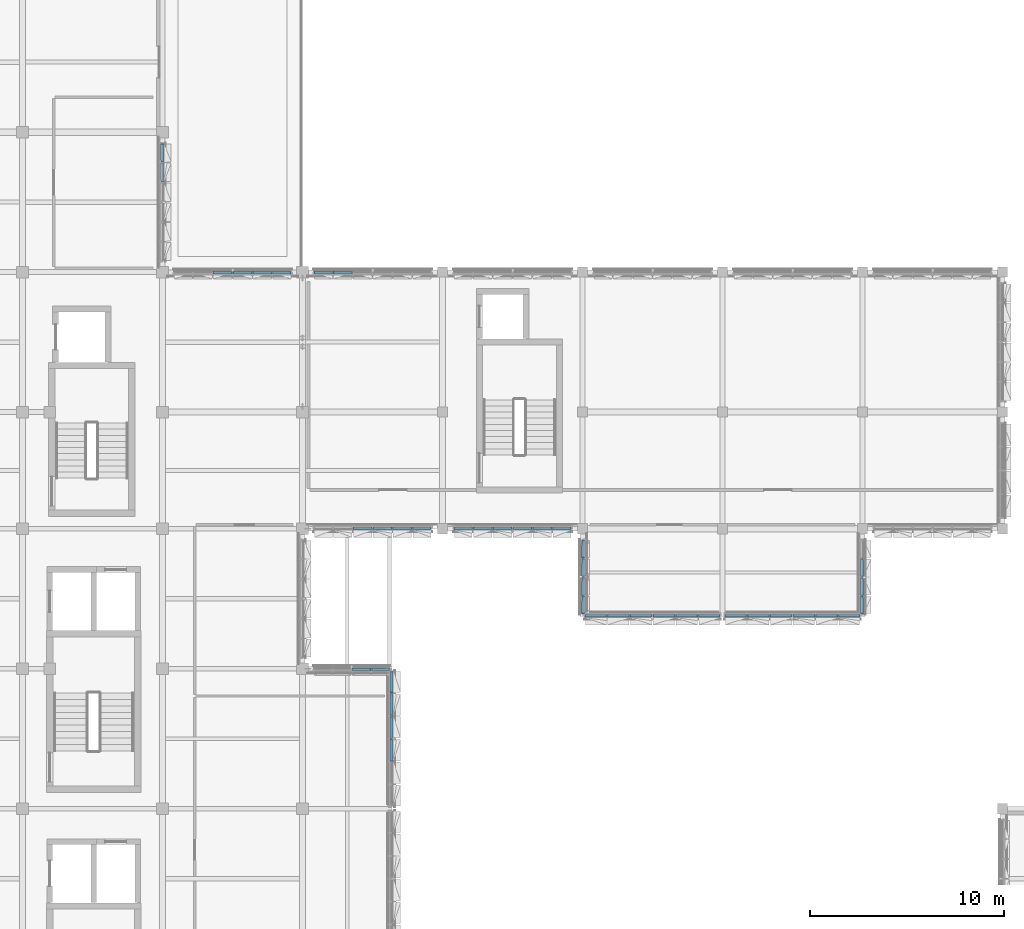
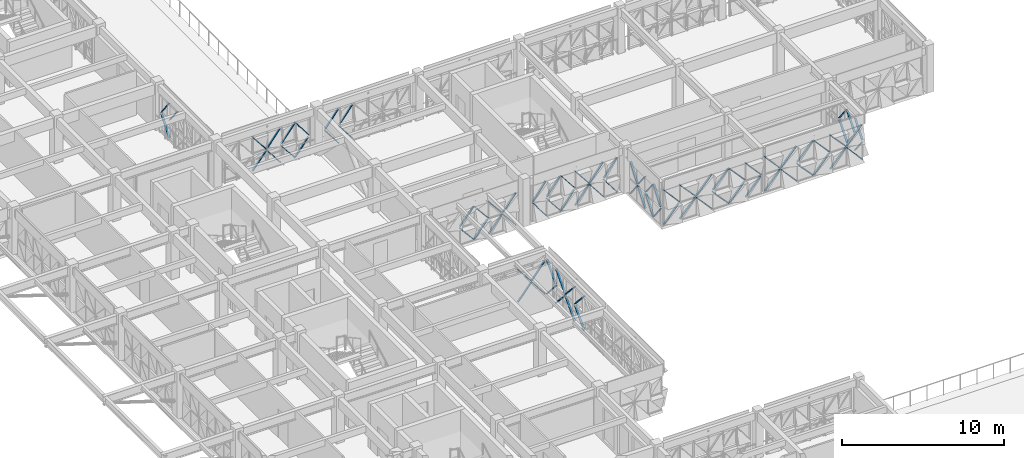
# One storey, part 60 of 99: 85 discrete accessories.
"""IFC4 building model written with IfcOpenShell, lengths in metres."""

import ifcopenshell
import ifcopenshell.guid

model = None  # the IFC model being written
_history = None  # IfcOwnerHistory: only IFC2X3 demands one
_inside = {}  # id of a spatial element -> (the spatial element, [elements in it])
_under = {}  # id of a project, library or spatial element -> (it, [spatial elements below it])
_declared = {}  # id of a project -> (the project, [libraries it declares])
_typed = {}  # id of a type object -> (the type object, [elements of that type])
_made_of = {}  # id of a material, layer set ... -> (it, [elements and type objects made of it])


def new_model(schema):
    """Start an empty IFC model of exactly this schema.

    Asked for "IFC4X3", IfcOpenShell would pick the latest addendum, in which some entities
    have other attributes; the version numbers below select the first issue.
    IFC2X3 requires an IfcOwnerHistory on every rooted entity: one is made here for all.
    """
    global model, _history
    if schema == "IFC4X3":
        model = ifcopenshell.file(schema_version=(4, 3, 0, 0))
    else:
        model = ifcopenshell.file(schema=schema)
    _inside.clear()
    _under.clear()
    _declared.clear()
    _typed.clear()
    _made_of.clear()
    _history = None
    if model.schema == "IFC2X3":
        org = make("IfcOrganization", Name="unknown")
        user = make(
            "IfcPersonAndOrganization",
            ThePerson=make("IfcPerson", FamilyName="unknown"),
            TheOrganization=org,
        )
        app = make(
            "IfcApplication",
            ApplicationDeveloper=org,
            Version="unknown",
            ApplicationFullName="unknown",
            ApplicationIdentifier="unknown",
        )
        _history = make(
            "IfcOwnerHistory",
            OwningUser=user,
            OwningApplication=app,
            ChangeAction="ADDED",
            CreationDate=0,
        )
    return model


def make(cls, **values):
    """One entity of the class cls with the attributes given. An attribute that is None is left unset."""
    return model.create_entity(
        cls, **{name: value for name, value in values.items() if value is not None}
    )


def rooted(cls, **values):
    """An entity with a GlobalId (a new one), such as an element, a storey or a relation."""
    return make(cls, GlobalId=ifcopenshell.guid.new(), OwnerHistory=_history, **values)


def si_unit(unit_type, name, prefix=None):
    """IfcSIUnit, for example si_unit("LENGTHUNIT", "METRE", prefix="MILLI")."""
    return make("IfcSIUnit", UnitType=unit_type, Prefix=prefix, Name=name)


def assignment(units):
    """IfcUnitAssignment: the units of a project."""
    return None if units is None else make("IfcUnitAssignment", Units=units)


def point(xyz):
    """IfcCartesianPoint."""
    return None if xyz is None else make("IfcCartesianPoint", Coordinates=xyz)


def direction(xyz):
    """IfcDirection."""
    return None if xyz is None else make("IfcDirection", DirectionRatios=xyz)


def frame(location, z_axis=None, x_axis=None):
    """IfcAxis2Placement3D, a coordinate frame: its origin and axes. An axis left out is left unset."""
    return make(
        "IfcAxis2Placement3D",
        Location=point(location),
        Axis=direction(z_axis),
        RefDirection=direction(x_axis),
    )


def frame_2d(location, x_axis=None):
    """IfcAxis2Placement2D, a coordinate frame in the plane: its origin and x axis."""
    return make(
        "IfcAxis2Placement2D", Location=point(location), RefDirection=direction(x_axis)
    )


def origin():
    """The frame at (0, 0, 0) with its axes left unset."""
    return frame((0.0, 0.0, 0.0))


def origin_2d():
    """The frame at (0, 0) in the plane with its x axis left unset."""
    return frame_2d((0.0, 0.0))


def place(relative_to, where):
    """IfcLocalPlacement: puts the frame where relative to a parent placement (None: the world)."""
    return make(
        "IfcLocalPlacement", PlacementRelTo=relative_to, RelativePlacement=where
    )


def context(
    kind, dimensions, precision=None, world=None, true_north=None, identifier=None
):
    """IfcGeometricRepresentationContext, for example the 3D "Model" context."""
    return make(
        "IfcGeometricRepresentationContext",
        ContextIdentifier=identifier,
        ContextType=kind,
        CoordinateSpaceDimension=dimensions,
        Precision=precision,
        WorldCoordinateSystem=world,
        TrueNorth=true_north,
    )


def subcontext(parent, identifier, kind, view, scale=None):
    """IfcGeometricRepresentationSubContext, for example "Body" below "Model"."""
    return make(
        "IfcGeometricRepresentationSubContext",
        ContextIdentifier=identifier,
        ContextType=kind,
        ParentContext=parent,
        TargetScale=scale,
        TargetView=view,
    )


def project(units=None, contexts=None):
    """IfcProject with its units and contexts."""
    return rooted(
        "IfcProject",
        Name="project",
        RepresentationContexts=contexts,
        UnitsInContext=assignment(units),
    )


def spatial(cls, under=None, at=None, **own):
    """A site, building, storey or space (cls), placed at a placement, below another one or the project."""
    s = rooted(cls, ObjectPlacement=at, **own)
    if under is not None:
        _under.setdefault(under.id(), (under, []))[1].append(s)
    return s


def profile(cls, at=None, kind="AREA", **sizes):
    """A parametric profile (cls). Its sizes go by their IFC names, for example OverallWidth=200.0."""
    return make(cls, ProfileType=kind, Position=at, **sizes)


def rectangle(**sizes):
    """IfcRectangleProfileDef."""
    return profile("IfcRectangleProfileDef", **sizes)


def extrude(swept, where, along, depth):
    """IfcExtrudedAreaSolid: the profile swept, set in the frame where, extruded along a direction by depth."""
    return make(
        "IfcExtrudedAreaSolid",
        SweptArea=swept,
        Position=where,
        ExtrudedDirection=direction(along),
        Depth=depth,
    )


def shape(context_of_items, identifier, shape_type, items):
    """IfcShapeRepresentation: the items that make up one representation, for example the "Body"."""
    return make(
        "IfcShapeRepresentation",
        ContextOfItems=context_of_items,
        RepresentationIdentifier=identifier,
        RepresentationType=shape_type,
        Items=items,
    )


def material(Name=None, Category=None):
    """IfcMaterial."""
    return make("IfcMaterial", Name=Name, Category=Category)


def made_of(thing, what):
    """Note that an element or type object is made of a material, layer set ...; save() writes the relation."""
    if what is not None:
        _made_of.setdefault(what.id(), (what, []))[1].append(thing)
    return thing


def type_object(cls, material=None, **own):
    """A type object (cls), such as IfcWallType, which elements share."""
    return made_of(rooted(cls, **own), material)


def element(
    cls,
    number,
    at=None,
    inside=None,
    cuts=None,
    type_object=None,
    material=None,
    context=None,
    identifier="Body",
    shape_type=None,
    held_by="IfcProductDefinitionShape",
    body=None,
    shapes=None,
    **own,
):
    """One element of the class cls, such as IfcWall. Its Tag is "e" and its number.

    at: its placement. inside: the storey or other place that contains it. cuts: it is an
    opening in that element (IfcRelVoidsElement). A single representation is given by context,
    identifier, shape_type and body (its items); several are given by shapes. held_by: the class
    of the entity that holds the representations. save() writes the other relations.
    """
    e = rooted(cls, Tag="e%d" % number, ObjectPlacement=at, **own)
    if body is not None:
        shapes = [shape(context, identifier, shape_type, body)]
    if shapes is not None:
        e.Representation = make(held_by, Representations=shapes)
    if inside is not None:
        _inside.setdefault(inside.id(), (inside, []))[1].append(e)
    if cuts is not None:
        rooted(
            "IfcRelVoidsElement", RelatingBuildingElement=cuts, RelatedOpeningElement=e
        )
    if type_object is not None:
        _typed.setdefault(type_object.id(), (type_object, []))[1].append(e)
    return made_of(e, material)


def aggregate(whole, parts):
    """IfcRelAggregates: a whole, such as a stair, and the parts it consists of."""
    return rooted("IfcRelAggregates", RelatingObject=whole, RelatedObjects=parts)


def save(model, path):
    """Write the relations noted so far, then the file.

    IfcRelAggregates (storeys below a building ...), IfcRelContainedInSpatialStructure (elements
    in a storey), IfcRelDefinesByType, IfcRelAssociatesMaterial and IfcRelDeclares: one each for
    every whole, place, type object, material and project.
    """
    for whole, parts in _under.values():
        aggregate(whole, parts)
    for where, things in _inside.values():
        rooted(
            "IfcRelContainedInSpatialStructure",
            RelatedElements=things,
            RelatingStructure=where,
        )
    for kind, things in _typed.values():
        rooted("IfcRelDefinesByType", RelatedObjects=things, RelatingType=kind)
    for what, things in _made_of.values():
        rooted("IfcRelAssociatesMaterial", RelatedObjects=things, RelatingMaterial=what)
    for by, libraries in _declared.values():
        rooted("IfcRelDeclares", RelatingContext=by, RelatedDefinitions=libraries)
    model.write(path)


model = new_model("IFC4")

# Units and contexts
model_context = context("Model", 3, precision=1e-05, world=origin(), true_north=direction((0.0, 1.0)))
body_context = subcontext(model_context, "Body", "Model", "MODEL_VIEW")
ifc_project = project(units=[si_unit("LENGTHUNIT", "METRE"), si_unit("AREAUNIT", "SQUARE_METRE"), si_unit("VOLUMEUNIT", "CUBIC_METRE"), si_unit("PLANEANGLEUNIT", "RADIAN"), si_unit("MASSUNIT", "GRAM", prefix="KILO")], contexts=[model_context])

# Site, building, storey
site_placement = place(None, origin())
site = spatial("IfcSite", under=ifc_project, at=site_placement, CompositionType="ELEMENT")
building_placement = place(site_placement, origin())
building = spatial("IfcBuilding", under=site, at=building_placement, Name="Alvorim Cloister Faculty of Sciences", CompositionType="ELEMENT")
storey_placement = place(building_placement, frame((0.0, 0.0, 12.14990234375)))
storey = spatial("IfcBuildingStorey", under=building, at=storey_placement, Name="L03", CompositionType="ELEMENT", Elevation=12.14990234375)

# Discrete accessories
ifc_material = material(Name="Aluminium Alloy 6063-T6", Category="aluminium")
discrete_accessory_type = type_object("IfcDiscreteAccessoryType", Name="ACC-DIAG-BAR", PredefinedType="BRACKET", material=ifc_material)
discrete_accessory_1_placement = place(storey_placement, frame((21.577392578125, 61.052490234375, 2.710205078125), z_axis=(-0.006476523147, 0.617955086572, -0.786186724404), x_axis=(-0.999945083323, -0.010479997039, 0.0)))
element("IfcDiscreteAccessory", 1, at=discrete_accessory_1_placement, inside=storey, type_object=discrete_accessory_type, Name="Diagonal Cassette Glazing Bracket ACC-01314", PredefinedType="BRACKET", context=body_context, shape_type="SweptSolid", body=[
    extrude(rectangle(XDim=0.139892578125, YDim=0.044921875, at=origin_2d()), origin(), (0.0, 0.0, 1.0), 1.545654296875),
])
discrete_accessory_2_placement = place(storey_placement, frame((21.577392578125, 62.072509765625, 0.14013671875), z_axis=(-0.006561629754, 0.604790215644, 0.796357796519), x_axis=(-0.999941150118, -0.010848792579, 0.0)))
element("IfcDiscreteAccessory", 2, at=discrete_accessory_2_placement, inside=storey, type_object=discrete_accessory_type, Name="Diagonal Cassette Glazing Bracket ACC-01315", PredefinedType="BRACKET", context=body_context, shape_type="SweptSolid", body=[
    extrude(rectangle(XDim=0.139892578125, YDim=0.044921875, at=origin_2d()), origin(), (0.0, 0.0, 1.0), 1.525390625),
])
discrete_accessory_3_placement = place(storey_placement, frame((21.577392578125, 62.072509765625, 2.710205078125), z_axis=(-0.006560793558, 0.604713142785, -0.796416330151), x_axis=(-0.999941150118, -0.010848792579, 0.0)))
element("IfcDiscreteAccessory", 3, at=discrete_accessory_3_placement, inside=storey, type_object=discrete_accessory_type, Name="Diagonal Cassette Glazing Bracket ACC-01316", PredefinedType="BRACKET", context=body_context, shape_type="SweptSolid", body=[
    extrude(rectangle(XDim=0.139892578125, YDim=0.044921875, at=origin_2d()), origin(), (0.0, 0.0, 1.0), 1.525634765625),
])
discrete_accessory_4_placement = place(storey_placement, frame((24.21240234375, 56.37744140625, 0.14013671875), z_axis=(0.618031836495, -0.00647732753, 0.786126385072), x_axis=(0.010479997039, 0.999945083323, 0.0)))
element("IfcDiscreteAccessory", 4, at=discrete_accessory_4_placement, inside=storey, type_object=discrete_accessory_type, Name="Diagonal Cassette Glazing Bracket ACC-01322", PredefinedType="BRACKET", context=body_context, shape_type="SweptSolid", body=[
    extrude(rectangle(XDim=0.139892578125, YDim=0.044921875, at=origin_2d()), origin(), (0.0, 0.0, 1.0), 1.54541015625),
])
discrete_accessory_5_placement = place(storey_placement, frame((24.21240234375, 56.37744140625, 2.710205078125), z_axis=(0.617955086572, -0.006476523147, -0.786186724404), x_axis=(0.010479997039, 0.999945083323, 0.0)))
element("IfcDiscreteAccessory", 5, at=discrete_accessory_5_placement, inside=storey, type_object=discrete_accessory_type, Name="Diagonal Cassette Glazing Bracket ACC-01323", PredefinedType="BRACKET", context=body_context, shape_type="SweptSolid", body=[
    extrude(rectangle(XDim=0.139892578125, YDim=0.044921875, at=origin_2d()), origin(), (0.0, 0.0, 1.0), 1.545654296875),
])
discrete_accessory_6_placement = place(storey_placement, frame((25.232421875, 56.37744140625, 1.35498046875), z_axis=(0.618031836495, -0.00647732753, -0.786126385072), x_axis=(0.010479997039, 0.999945083323, 0.0)))
element("IfcDiscreteAccessory", 6, at=discrete_accessory_6_placement, inside=storey, type_object=discrete_accessory_type, Name="Diagonal Cassette Glazing Bracket ACC-01324", PredefinedType="BRACKET", context=body_context, shape_type="SweptSolid", body=[
    extrude(rectangle(XDim=0.139892578125, YDim=0.044921875, at=origin_2d()), origin(), (0.0, 0.0, 1.0), 1.54541015625),
])
discrete_accessory_7_placement = place(storey_placement, frame((25.232421875, 56.37744140625, 1.4951171875), z_axis=(0.617955086572, -0.006476523147, 0.786186724404), x_axis=(0.010479997039, 0.999945083323, 0.0)))
element("IfcDiscreteAccessory", 7, at=discrete_accessory_7_placement, inside=storey, type_object=discrete_accessory_type, Name="Diagonal Cassette Glazing Bracket ACC-01325", PredefinedType="BRACKET", context=body_context, shape_type="SweptSolid", body=[
    extrude(rectangle(XDim=0.139892578125, YDim=0.044921875, at=origin_2d()), origin(), (0.0, 0.0, 1.0), 1.545654296875),
])
discrete_accessory_8_placement = place(storey_placement, frame((26.25244140625, 56.37744140625, 1.35498046875), z_axis=(0.618031836495, -0.00647732753, -0.786126385072), x_axis=(0.010479997039, 0.999945083323, 0.0)))
element("IfcDiscreteAccessory", 8, at=discrete_accessory_8_placement, inside=storey, type_object=discrete_accessory_type, Name="Diagonal Cassette Glazing Bracket ACC-01326", PredefinedType="BRACKET", context=body_context, shape_type="SweptSolid", body=[
    extrude(rectangle(XDim=0.139892578125, YDim=0.044921875, at=origin_2d()), origin(), (0.0, 0.0, 1.0), 1.54541015625),
])
discrete_accessory_9_placement = place(storey_placement, frame((26.25244140625, 56.37744140625, 1.4951171875), z_axis=(0.617955086572, -0.006476523147, 0.786186724404), x_axis=(0.010479997039, 0.999945083323, 0.0)))
element("IfcDiscreteAccessory", 9, at=discrete_accessory_9_placement, inside=storey, type_object=discrete_accessory_type, Name="Diagonal Cassette Glazing Bracket ACC-01327", PredefinedType="BRACKET", context=body_context, shape_type="SweptSolid", body=[
    extrude(rectangle(XDim=0.139892578125, YDim=0.044921875, at=origin_2d()), origin(), (0.0, 0.0, 1.0), 1.545654296875),
])
discrete_accessory_10_placement = place(storey_placement, frame((27.2724609375, 56.37744140625, 0.14013671875), z_axis=(0.604790215644, -0.006561629754, 0.796357796519), x_axis=(0.010848792579, 0.999941150118, 0.0)))
element("IfcDiscreteAccessory", 10, at=discrete_accessory_10_placement, inside=storey, type_object=discrete_accessory_type, Name="Diagonal Cassette Glazing Bracket ACC-01328", PredefinedType="BRACKET", context=body_context, shape_type="SweptSolid", body=[
    extrude(rectangle(XDim=0.139892578125, YDim=0.044921875, at=origin_2d()), origin(), (0.0, 0.0, 1.0), 1.525390625),
])
discrete_accessory_11_placement = place(storey_placement, frame((27.2724609375, 56.37744140625, 2.710205078125), z_axis=(0.604713142785, -0.006560793558, -0.796416330151), x_axis=(0.010848792579, 0.999941150118, 0.0)))
element("IfcDiscreteAccessory", 11, at=discrete_accessory_11_placement, inside=storey, type_object=discrete_accessory_type, Name="Diagonal Cassette Glazing Bracket ACC-01329", PredefinedType="BRACKET", context=body_context, shape_type="SweptSolid", body=[
    extrude(rectangle(XDim=0.139892578125, YDim=0.044921875, at=origin_2d()), origin(), (0.0, 0.0, 1.0), 1.525634765625),
])
discrete_accessory_12_placement = place(storey_placement, frame((29.405029296875, 56.37744140625, 1.35498046875), z_axis=(0.604688699088, -0.006562264866, -0.796434877359), x_axis=(0.010851663811, 0.999941118963, 0.0)))
element("IfcDiscreteAccessory", 12, at=discrete_accessory_12_placement, inside=storey, type_object=discrete_accessory_type, Name="Diagonal Cassette Glazing Bracket ACC-01331", PredefinedType="BRACKET", context=body_context, shape_type="SweptSolid", body=[
    extrude(rectangle(XDim=0.139892578125, YDim=0.044921875, at=origin_2d()), origin(), (0.0, 0.0, 1.0), 1.525390625),
])
discrete_accessory_13_placement = place(storey_placement, frame((29.405029296875, 56.37744140625, 1.4951171875), z_axis=(0.604611624251, -0.006561428426, 0.796493397008), x_axis=(0.010851663811, 0.999941118963, 0.0)))
element("IfcDiscreteAccessory", 13, at=discrete_accessory_13_placement, inside=storey, type_object=discrete_accessory_type, Name="Diagonal Cassette Glazing Bracket ACC-01332", PredefinedType="BRACKET", context=body_context, shape_type="SweptSolid", body=[
    extrude(rectangle(XDim=0.139892578125, YDim=0.044921875, at=origin_2d()), origin(), (0.0, 0.0, 1.0), 1.525634765625),
])
discrete_accessory_14_placement = place(storey_placement, frame((30.392578125, 56.37744140625, 1.35498046875), z_axis=(0.61793418254, -0.006477959981, -0.786203143012), x_axis=(0.010482676365, 0.999945055239, 0.0)))
element("IfcDiscreteAccessory", 14, at=discrete_accessory_14_placement, inside=storey, type_object=discrete_accessory_type, Name="Diagonal Cassette Glazing Bracket ACC-01333", PredefinedType="BRACKET", context=body_context, shape_type="SweptSolid", body=[
    extrude(rectangle(XDim=0.139892578125, YDim=0.044921875, at=origin_2d()), origin(), (0.0, 0.0, 1.0), 1.545166015625),
])
discrete_accessory_15_placement = place(storey_placement, frame((30.392578125, 56.37744140625, 1.4951171875), z_axis=(0.61785742976, -0.006477155362, 0.786263469168), x_axis=(0.010482676365, 0.999945055239, 0.0)))
element("IfcDiscreteAccessory", 15, at=discrete_accessory_15_placement, inside=storey, type_object=discrete_accessory_type, Name="Diagonal Cassette Glazing Bracket ACC-01334", PredefinedType="BRACKET", context=body_context, shape_type="SweptSolid", body=[
    extrude(rectangle(XDim=0.139892578125, YDim=0.044921875, at=origin_2d()), origin(), (0.0, 0.0, 1.0), 1.54541015625),
])
for number, where, z_axis, x_axis, name in (
    (16, (57.577392578125, 38.844970703125, 1.283203125), (-0.006960531344, 0.606754610349, -0.794858725701), (-0.999934206081, -0.011470985576, 0.0), "Diagonal Cassette Glazing Bracket ACC-01431"),
    (17, (57.577392578125, 38.844970703125, 1.423095703125), (-0.006960531344, 0.606754610349, 0.794858725701), (-0.999934206081, -0.011470985576, 0.0), "Diagonal Cassette Glazing Bracket ACC-01432"),
):
    element("IfcDiscreteAccessory", number, at=place(storey_placement, frame(where, z_axis=z_axis, x_axis=x_axis)), inside=storey, type_object=discrete_accessory_type, Name=name, PredefinedType="BRACKET", context=body_context, shape_type="SweptSolid", body=[
        extrude(rectangle(XDim=0.139892578125, YDim=0.044921875, at=origin_2d()), origin(), (0.0, 0.0, 1.0), 1.43798828125),
    ])
for number, where, z_axis, x_axis, name in (
    (18, (57.577392578125, 39.782470703125, 1.283203125), (-0.006865384247, 0.620731204977, -0.783993391341), (-0.99993884208, -0.011059480045, 0.0), "Diagonal Cassette Glazing Bracket ACC-01433"),
    (19, (57.577392578125, 39.782470703125, 1.423095703125), (-0.006865384247, 0.620731204977, 0.783993391341), (-0.99993884208, -0.011059480045, 0.0), "Diagonal Cassette Glazing Bracket ACC-01434"),
    (20, (57.577392578125, 40.75244140625, 0.14013671875), (-0.006865384247, 0.620731204977, 0.783993391341), (-0.99993884208, -0.011059480045, 0.0), "Diagonal Cassette Glazing Bracket ACC-01435"),
    (21, (57.577392578125, 40.75244140625, 2.566162109375), (-0.006865384247, 0.620731204977, -0.783993391341), (-0.99993884208, -0.011059480045, 0.0), "Diagonal Cassette Glazing Bracket ACC-01436"),
):
    element("IfcDiscreteAccessory", number, at=place(storey_placement, frame(where, z_axis=z_axis, x_axis=x_axis)), inside=storey, type_object=discrete_accessory_type, Name=name, PredefinedType="BRACKET", context=body_context, shape_type="SweptSolid", body=[
        extrude(rectangle(XDim=0.139892578125, YDim=0.044921875, at=origin_2d()), origin(), (0.0, 0.0, 1.0), 1.4580078125),
    ])
for number, where, z_axis, x_axis, name in (
    (22, (50.544921875, 38.722412109375, 0.14013671875), (0.661877285306, 0.00615769655, 0.749586914219), (-0.009302978394, 0.99995672636, 0.0), "Diagonal Cassette Glazing Bracket ACC-01440"),
    (23, (50.544921875, 38.722412109375, 2.717041015625), (0.661877285306, 0.00615769655, -0.749586914219), (-0.009302978394, 0.99995672636, 0.0), "Diagonal Cassette Glazing Bracket ACC-01441"),
):
    element("IfcDiscreteAccessory", number, at=place(storey_placement, frame(where, z_axis=z_axis, x_axis=x_axis)), inside=storey, type_object=discrete_accessory_type, Name=name, PredefinedType="BRACKET", context=body_context, shape_type="SweptSolid", body=[
        extrude(rectangle(XDim=0.139892578125, YDim=0.044921875, at=origin_2d()), origin(), (0.0, 0.0, 1.0), 1.62548828125),
    ])
for number, where, z_axis, x_axis, name in (
    (24, (51.685791015625, 38.722412109375, 1.358642578125), (0.672881655969, 0.006076684558, -0.73972518611), (-0.009030468767, 0.999959224486, 0.0), "Diagonal Cassette Glazing Bracket ACC-01442"),
    (25, (51.685791015625, 38.722412109375, 1.49853515625), (0.672881655969, 0.006076684558, 0.73972518611), (-0.009030468767, 0.999959224486, 0.0), "Diagonal Cassette Glazing Bracket ACC-01443"),
    (26, (52.859130859375, 38.722412109375, 1.358642578125), (0.672881655969, 0.006076684558, -0.73972518611), (-0.009030468767, 0.999959224486, 0.0), "Diagonal Cassette Glazing Bracket ACC-01444"),
    (27, (52.859130859375, 38.722412109375, 1.49853515625), (0.672881655969, 0.006076684558, 0.73972518611), (-0.009030468767, 0.999959224486, 0.0), "Diagonal Cassette Glazing Bracket ACC-01445"),
    (28, (54.032470703125, 38.722412109375, 0.14013671875), (0.672881655969, 0.006076684558, 0.73972518611), (-0.009030468767, 0.999959224486, 0.0), "Diagonal Cassette Glazing Bracket ACC-01446"),
    (29, (54.032470703125, 38.722412109375, 2.717041015625), (0.672881655969, 0.006076684558, -0.73972518611), (-0.009030468767, 0.999959224486, 0.0), "Diagonal Cassette Glazing Bracket ACC-01447"),
    (30, (55.205810546875, 38.722412109375, 0.14013671875), (0.672881655969, 0.006076684558, 0.73972518611), (-0.009030468767, 0.999959224486, 0.0), "Diagonal Cassette Glazing Bracket ACC-01448"),
    (31, (55.205810546875, 38.722412109375, 2.717041015625), (0.672881655969, 0.006076684558, -0.73972518611), (-0.009030468767, 0.999959224486, 0.0), "Diagonal Cassette Glazing Bracket ACC-01449"),
):
    element("IfcDiscreteAccessory", number, at=place(storey_placement, frame(where, z_axis=z_axis, x_axis=x_axis)), inside=storey, type_object=discrete_accessory_type, Name=name, PredefinedType="BRACKET", context=body_context, shape_type="SweptSolid", body=[
        extrude(rectangle(XDim=0.139892578125, YDim=0.044921875, at=origin_2d()), origin(), (0.0, 0.0, 1.0), 1.647216796875),
    ])
for number, where, z_axis, x_axis, name in (
    (32, (56.379150390625, 38.722412109375, 1.358642578125), (0.661877285306, 0.00615769655, -0.749586914219), (-0.009302978394, 0.99995672636, 0.0), "Diagonal Cassette Glazing Bracket ACC-01450"),
    (33, (56.379150390625, 38.722412109375, 1.49853515625), (0.661877285306, 0.00615769655, 0.749586914219), (-0.009302978394, 0.99995672636, 0.0), "Diagonal Cassette Glazing Bracket ACC-01451"),
    (34, (43.344970703125, 38.722412109375, 0.14013671875), (0.661877285306, 0.00615769655, 0.749586914219), (-0.009302978394, 0.99995672636, 0.0), "Diagonal Cassette Glazing Bracket ACC-01453"),
    (35, (43.344970703125, 38.722412109375, 2.717041015625), (0.661877285306, 0.00615769655, -0.749586914219), (-0.009302978394, 0.99995672636, 0.0), "Diagonal Cassette Glazing Bracket ACC-01454"),
):
    element("IfcDiscreteAccessory", number, at=place(storey_placement, frame(where, z_axis=z_axis, x_axis=x_axis)), inside=storey, type_object=discrete_accessory_type, Name=name, PredefinedType="BRACKET", context=body_context, shape_type="SweptSolid", body=[
        extrude(rectangle(XDim=0.139892578125, YDim=0.044921875, at=origin_2d()), origin(), (0.0, 0.0, 1.0), 1.62548828125),
    ])
for number, where, z_axis, x_axis, name in (
    (36, (44.48583984375, 38.722412109375, 0.14013671875), (0.672881655969, 0.006076684558, 0.73972518611), (-0.009030468767, 0.999959224486, 0.0), "Diagonal Cassette Glazing Bracket ACC-01455"),
    (37, (44.48583984375, 38.722412109375, 2.717041015625), (0.672881655969, 0.006076684558, -0.73972518611), (-0.009030468767, 0.999959224486, 0.0), "Diagonal Cassette Glazing Bracket ACC-01456"),
    (38, (45.6591796875, 38.722412109375, 1.358642578125), (0.672881655969, 0.006076684558, -0.73972518611), (-0.009030468767, 0.999959224486, 0.0), "Diagonal Cassette Glazing Bracket ACC-01457"),
    (39, (45.6591796875, 38.722412109375, 1.49853515625), (0.672881655969, 0.006076684558, 0.73972518611), (-0.009030468767, 0.999959224486, 0.0), "Diagonal Cassette Glazing Bracket ACC-01458"),
    (40, (46.83251953125, 38.722412109375, 1.358642578125), (0.672881655969, 0.006076684558, -0.73972518611), (-0.009030468767, 0.999959224486, 0.0), "Diagonal Cassette Glazing Bracket ACC-01459"),
    (41, (46.83251953125, 38.722412109375, 1.49853515625), (0.672881655969, 0.006076684558, 0.73972518611), (-0.009030468767, 0.999959224486, 0.0), "Diagonal Cassette Glazing Bracket ACC-01460"),
    (42, (48.005859375, 38.722412109375, 0.14013671875), (0.672881655969, 0.006076684558, 0.73972518611), (-0.009030468767, 0.999959224486, 0.0), "Diagonal Cassette Glazing Bracket ACC-01461"),
    (43, (48.005859375, 38.722412109375, 2.717041015625), (0.672881655969, 0.006076684558, -0.73972518611), (-0.009030468767, 0.999959224486, 0.0), "Diagonal Cassette Glazing Bracket ACC-01462"),
):
    element("IfcDiscreteAccessory", number, at=place(storey_placement, frame(where, z_axis=z_axis, x_axis=x_axis)), inside=storey, type_object=discrete_accessory_type, Name=name, PredefinedType="BRACKET", context=body_context, shape_type="SweptSolid", body=[
        extrude(rectangle(XDim=0.139892578125, YDim=0.044921875, at=origin_2d()), origin(), (0.0, 0.0, 1.0), 1.647216796875),
    ])
for number, where, z_axis, x_axis, name in (
    (44, (49.17919921875, 38.722412109375, 0.14013671875), (0.661792879469, 0.006158308683, 0.749661430193), (-0.009305089645, 0.999956706716, 0.0), "Diagonal Cassette Glazing Bracket ACC-01463"),
    (45, (49.17919921875, 38.722412109375, 2.717041015625), (0.661792879469, 0.006158308683, -0.749661430193), (-0.009305089645, 0.999956706716, 0.0), "Diagonal Cassette Glazing Bracket ACC-01464"),
):
    element("IfcDiscreteAccessory", number, at=place(storey_placement, frame(where, z_axis=z_axis, x_axis=x_axis)), inside=storey, type_object=discrete_accessory_type, Name=name, PredefinedType="BRACKET", context=body_context, shape_type="SweptSolid", body=[
        extrude(rectangle(XDim=0.139892578125, YDim=0.044921875, at=origin_2d()), origin(), (0.0, 0.0, 1.0), 1.62548828125),
    ])
for number, where, z_axis, x_axis, name in (
    (46, (43.222412109375, 38.844970703125, 1.283203125), (0.006960531344, 0.606754610349, -0.794858725701), (-0.999934206081, 0.011470985576, 0.0), "Diagonal Cassette Glazing Bracket ACC-01466"),
    (47, (43.222412109375, 38.844970703125, 1.423095703125), (0.006960531344, 0.606754610349, 0.794858725701), (-0.999934206081, 0.011470985576, 0.0), "Diagonal Cassette Glazing Bracket ACC-01467"),
):
    element("IfcDiscreteAccessory", number, at=place(storey_placement, frame(where, z_axis=z_axis, x_axis=x_axis)), inside=storey, type_object=discrete_accessory_type, Name=name, PredefinedType="BRACKET", context=body_context, shape_type="SweptSolid", body=[
        extrude(rectangle(XDim=0.139892578125, YDim=0.044921875, at=origin_2d()), origin(), (0.0, 0.0, 1.0), 1.43798828125),
    ])
for number, where, z_axis, x_axis, name in (
    (48, (43.222412109375, 39.782470703125, 0.14013671875), (0.006865384247, 0.620731204977, 0.783993391341), (-0.99993884208, 0.011059480045, 0.0), "Diagonal Cassette Glazing Bracket ACC-01468"),
    (49, (43.222412109375, 39.782470703125, 2.566162109375), (0.006865384247, 0.620731204977, -0.783993391341), (-0.99993884208, 0.011059480045, 0.0), "Diagonal Cassette Glazing Bracket ACC-01469"),
    (50, (43.222412109375, 40.75244140625, 0.14013671875), (0.006865384247, 0.620731204977, 0.783993391341), (-0.99993884208, 0.011059480045, 0.0), "Diagonal Cassette Glazing Bracket ACC-01470"),
    (51, (43.222412109375, 40.75244140625, 2.566162109375), (0.006865384247, 0.620731204977, -0.783993391341), (-0.99993884208, 0.011059480045, 0.0), "Diagonal Cassette Glazing Bracket ACC-01471"),
):
    element("IfcDiscreteAccessory", number, at=place(storey_placement, frame(where, z_axis=z_axis, x_axis=x_axis)), inside=storey, type_object=discrete_accessory_type, Name=name, PredefinedType="BRACKET", context=body_context, shape_type="SweptSolid", body=[
        extrude(rectangle(XDim=0.139892578125, YDim=0.044921875, at=origin_2d()), origin(), (0.0, 0.0, 1.0), 1.4580078125),
    ])
for number, where, z_axis, x_axis, name in (
    (52, (43.222412109375, 41.722412109375, 1.283203125), (0.006960531344, 0.606754610349, -0.794858725701), (-0.999934206081, 0.011470985576, 0.0), "Diagonal Cassette Glazing Bracket ACC-01472"),
    (53, (43.222412109375, 41.722412109375, 1.423095703125), (0.006960531344, 0.606754610349, 0.794858725701), (-0.999934206081, 0.011470985576, 0.0), "Diagonal Cassette Glazing Bracket ACC-01473"),
):
    element("IfcDiscreteAccessory", number, at=place(storey_placement, frame(where, z_axis=z_axis, x_axis=x_axis)), inside=storey, type_object=discrete_accessory_type, Name=name, PredefinedType="BRACKET", context=body_context, shape_type="SweptSolid", body=[
        extrude(rectangle(XDim=0.139892578125, YDim=0.044921875, at=origin_2d()), origin(), (0.0, 0.0, 1.0), 1.43798828125),
    ])
discrete_accessory_16_placement = place(storey_placement, frame((36.60498046875, 43.222412109375, 1.35498046875), z_axis=(0.604790215644, 0.006561629754, -0.796357796519), x_axis=(-0.010848792579, 0.999941150118, 0.0)))
element("IfcDiscreteAccessory", 54, at=discrete_accessory_16_placement, inside=storey, type_object=discrete_accessory_type, Name="Diagonal Cassette Glazing Bracket ACC-01475", PredefinedType="BRACKET", context=body_context, shape_type="SweptSolid", body=[
    extrude(rectangle(XDim=0.139892578125, YDim=0.044921875, at=origin_2d()), origin(), (0.0, 0.0, 1.0), 1.525390625),
])
discrete_accessory_17_placement = place(storey_placement, frame((36.60498046875, 43.222412109375, 1.4951171875), z_axis=(0.604713142785, 0.006560793558, 0.796416330151), x_axis=(-0.010848792579, 0.999941150118, 0.0)))
element("IfcDiscreteAccessory", 55, at=discrete_accessory_17_placement, inside=storey, type_object=discrete_accessory_type, Name="Diagonal Cassette Glazing Bracket ACC-01476", PredefinedType="BRACKET", context=body_context, shape_type="SweptSolid", body=[
    extrude(rectangle(XDim=0.139892578125, YDim=0.044921875, at=origin_2d()), origin(), (0.0, 0.0, 1.0), 1.525634765625),
])
discrete_accessory_18_placement = place(storey_placement, frame((37.592529296875, 43.222412109375, 1.35498046875), z_axis=(0.618031836495, 0.00647732753, -0.786126385072), x_axis=(-0.010479997039, 0.999945083323, 0.0)))
element("IfcDiscreteAccessory", 56, at=discrete_accessory_18_placement, inside=storey, type_object=discrete_accessory_type, Name="Diagonal Cassette Glazing Bracket ACC-01477", PredefinedType="BRACKET", context=body_context, shape_type="SweptSolid", body=[
    extrude(rectangle(XDim=0.139892578125, YDim=0.044921875, at=origin_2d()), origin(), (0.0, 0.0, 1.0), 1.54541015625),
])
discrete_accessory_19_placement = place(storey_placement, frame((37.592529296875, 43.222412109375, 1.4951171875), z_axis=(0.617955086572, 0.006476523147, 0.786186724404), x_axis=(-0.010479997039, 0.999945083323, 0.0)))
element("IfcDiscreteAccessory", 57, at=discrete_accessory_19_placement, inside=storey, type_object=discrete_accessory_type, Name="Diagonal Cassette Glazing Bracket ACC-01478", PredefinedType="BRACKET", context=body_context, shape_type="SweptSolid", body=[
    extrude(rectangle(XDim=0.139892578125, YDim=0.044921875, at=origin_2d()), origin(), (0.0, 0.0, 1.0), 1.545654296875),
])
discrete_accessory_20_placement = place(storey_placement, frame((38.612548828125, 43.222412109375, 0.14013671875), z_axis=(0.61793418254, 0.006477959981, 0.786203143012), x_axis=(-0.010482676365, 0.999945055239, 0.0)))
element("IfcDiscreteAccessory", 58, at=discrete_accessory_20_placement, inside=storey, type_object=discrete_accessory_type, Name="Diagonal Cassette Glazing Bracket ACC-01479", PredefinedType="BRACKET", context=body_context, shape_type="SweptSolid", body=[
    extrude(rectangle(XDim=0.139892578125, YDim=0.044921875, at=origin_2d()), origin(), (0.0, 0.0, 1.0), 1.545166015625),
])
discrete_accessory_21_placement = place(storey_placement, frame((38.612548828125, 43.222412109375, 2.710205078125), z_axis=(0.61785742976, 0.006477155362, -0.786263469168), x_axis=(-0.010482676365, 0.999945055239, 0.0)))
element("IfcDiscreteAccessory", 59, at=discrete_accessory_21_placement, inside=storey, type_object=discrete_accessory_type, Name="Diagonal Cassette Glazing Bracket ACC-01480", PredefinedType="BRACKET", context=body_context, shape_type="SweptSolid", body=[
    extrude(rectangle(XDim=0.139892578125, YDim=0.044921875, at=origin_2d()), origin(), (0.0, 0.0, 1.0), 1.54541015625),
])
discrete_accessory_22_placement = place(storey_placement, frame((39.632568359375, 43.222412109375, 0.14013671875), z_axis=(0.61793418254, 0.006477959981, 0.786203143012), x_axis=(-0.010482676365, 0.999945055239, 0.0)))
element("IfcDiscreteAccessory", 60, at=discrete_accessory_22_placement, inside=storey, type_object=discrete_accessory_type, Name="Diagonal Cassette Glazing Bracket ACC-01481", PredefinedType="BRACKET", context=body_context, shape_type="SweptSolid", body=[
    extrude(rectangle(XDim=0.139892578125, YDim=0.044921875, at=origin_2d()), origin(), (0.0, 0.0, 1.0), 1.545166015625),
])
discrete_accessory_23_placement = place(storey_placement, frame((39.632568359375, 43.222412109375, 2.710205078125), z_axis=(0.61785742976, 0.006477155362, -0.786263469168), x_axis=(-0.010482676365, 0.999945055239, 0.0)))
element("IfcDiscreteAccessory", 61, at=discrete_accessory_23_placement, inside=storey, type_object=discrete_accessory_type, Name="Diagonal Cassette Glazing Bracket ACC-01482", PredefinedType="BRACKET", context=body_context, shape_type="SweptSolid", body=[
    extrude(rectangle(XDim=0.139892578125, YDim=0.044921875, at=origin_2d()), origin(), (0.0, 0.0, 1.0), 1.54541015625),
])
discrete_accessory_24_placement = place(storey_placement, frame((40.652587890625, 43.222412109375, 1.35498046875), z_axis=(0.61793418254, 0.006477959981, -0.786203143012), x_axis=(-0.010482676365, 0.999945055239, 0.0)))
element("IfcDiscreteAccessory", 62, at=discrete_accessory_24_placement, inside=storey, type_object=discrete_accessory_type, Name="Diagonal Cassette Glazing Bracket ACC-01483", PredefinedType="BRACKET", context=body_context, shape_type="SweptSolid", body=[
    extrude(rectangle(XDim=0.139892578125, YDim=0.044921875, at=origin_2d()), origin(), (0.0, 0.0, 1.0), 1.545166015625),
])
discrete_accessory_25_placement = place(storey_placement, frame((40.652587890625, 43.222412109375, 1.4951171875), z_axis=(0.61785742976, 0.006477155362, 0.786263469168), x_axis=(-0.010482676365, 0.999945055239, 0.0)))
element("IfcDiscreteAccessory", 63, at=discrete_accessory_25_placement, inside=storey, type_object=discrete_accessory_type, Name="Diagonal Cassette Glazing Bracket ACC-01484", PredefinedType="BRACKET", context=body_context, shape_type="SweptSolid", body=[
    extrude(rectangle(XDim=0.139892578125, YDim=0.044921875, at=origin_2d()), origin(), (0.0, 0.0, 1.0), 1.54541015625),
])
discrete_accessory_26_placement = place(storey_placement, frame((41.672607421875, 43.222412109375, 1.35498046875), z_axis=(0.604688699088, 0.006562264866, -0.796434877359), x_axis=(-0.010851663811, 0.999941118963, 0.0)))
element("IfcDiscreteAccessory", 64, at=discrete_accessory_26_placement, inside=storey, type_object=discrete_accessory_type, Name="Diagonal Cassette Glazing Bracket ACC-01485", PredefinedType="BRACKET", context=body_context, shape_type="SweptSolid", body=[
    extrude(rectangle(XDim=0.139892578125, YDim=0.044921875, at=origin_2d()), origin(), (0.0, 0.0, 1.0), 1.525390625),
])
discrete_accessory_27_placement = place(storey_placement, frame((41.672607421875, 43.222412109375, 1.4951171875), z_axis=(0.604611624251, 0.006561428426, 0.796493397008), x_axis=(-0.010851663811, 0.999941118963, 0.0)))
element("IfcDiscreteAccessory", 65, at=discrete_accessory_27_placement, inside=storey, type_object=discrete_accessory_type, Name="Diagonal Cassette Glazing Bracket ACC-01486", PredefinedType="BRACKET", context=body_context, shape_type="SweptSolid", body=[
    extrude(rectangle(XDim=0.139892578125, YDim=0.044921875, at=origin_2d()), origin(), (0.0, 0.0, 1.0), 1.525634765625),
])
for number, where, z_axis, x_axis, name in (
    (66, (31.41259765625, 43.222412109375, 1.283203125), (0.641072377457, 0.006720523517, -0.767451002622), (-0.010482676365, 0.999945055239, 0.0), "Diagonal Cassette Glazing Bracket ACC-01492"),
    (67, (31.41259765625, 43.222412109375, 1.423095703125), (0.641072377457, 0.006720523517, 0.767451002622), (-0.010482676365, 0.999945055239, 0.0), "Diagonal Cassette Glazing Bracket ACC-01493"),
    (68, (32.4326171875, 43.222412109375, 0.14013671875), (0.641072377457, 0.006720523517, 0.767451002622), (-0.010482676365, 0.999945055239, 0.0), "Diagonal Cassette Glazing Bracket ACC-01494"),
    (69, (32.4326171875, 43.222412109375, 2.566162109375), (0.641072377457, 0.006720523517, -0.767451002622), (-0.010482676365, 0.999945055239, 0.0), "Diagonal Cassette Glazing Bracket ACC-01495"),
    (70, (33.452392578125, 43.222412109375, 0.14013671875), (0.641168912593, 0.006719817335, 0.767370360113), (-0.010479997039, 0.999945083323, 0.0), "Diagonal Cassette Glazing Bracket ACC-01496"),
    (71, (33.452392578125, 43.222412109375, 2.566162109375), (0.641168912593, 0.006719817335, -0.767370360113), (-0.010479997039, 0.999945083323, 0.0), "Diagonal Cassette Glazing Bracket ACC-01497"),
):
    element("IfcDiscreteAccessory", number, at=place(storey_placement, frame(where, z_axis=z_axis, x_axis=x_axis)), inside=storey, type_object=discrete_accessory_type, Name=name, PredefinedType="BRACKET", context=body_context, shape_type="SweptSolid", body=[
        extrude(rectangle(XDim=0.139892578125, YDim=0.044921875, at=origin_2d()), origin(), (0.0, 0.0, 1.0), 1.489501953125),
    ])
for number, where, z_axis, x_axis, name in (
    (72, (34.472412109375, 43.222412109375, 1.283203125), (0.628059424727, 0.006814087434, -0.778135545534), (-0.010848792579, 0.999941150118, 0.0), "Diagonal Cassette Glazing Bracket ACC-01498"),
    (73, (34.472412109375, 43.222412109375, 1.423095703125), (0.628059424727, 0.006814087434, 0.778135545534), (-0.010848792579, 0.999941150118, 0.0), "Diagonal Cassette Glazing Bracket ACC-01499"),
):
    element("IfcDiscreteAccessory", number, at=place(storey_placement, frame(where, z_axis=z_axis, x_axis=x_axis)), inside=storey, type_object=discrete_accessory_type, Name=name, PredefinedType="BRACKET", context=body_context, shape_type="SweptSolid", body=[
        extrude(rectangle(XDim=0.139892578125, YDim=0.044921875, at=origin_2d()), origin(), (0.0, 0.0, 1.0), 1.468994140625),
    ])
for number, where, z_axis, x_axis, name in (
    (74, (31.362548828125, 35.9775390625, 0.14013671875), (0.631064458964, -0.006792765245, 0.775700655519), (0.010763356526, 0.9999420734, 0.0), "Diagonal Cassette Glazing Bracket ACC-01518"),
    (75, (31.362548828125, 35.9775390625, 2.566162109375), (0.631064458964, -0.006792765245, -0.775700655519), (0.010763356526, 0.9999420734, 0.0), "Diagonal Cassette Glazing Bracket ACC-01519"),
):
    element("IfcDiscreteAccessory", number, at=place(storey_placement, frame(where, z_axis=z_axis, x_axis=x_axis)), inside=storey, type_object=discrete_accessory_type, Name=name, PredefinedType="BRACKET", context=body_context, shape_type="SweptSolid", body=[
        extrude(rectangle(XDim=0.139892578125, YDim=0.044921875, at=origin_2d()), origin(), (0.0, 0.0, 1.0), 1.4736328125),
    ])
for number, where, z_axis, x_axis, name in (
    (76, (32.357421875, 35.9775390625, 1.283203125), (0.617524934404, -0.006887519671, -0.78652114877), (0.011152733966, 0.999937806329, 0.0), "Diagonal Cassette Glazing Bracket ACC-01520"),
    (77, (32.357421875, 35.9775390625, 1.423095703125), (0.617524934404, -0.006887519671, 0.78652114877), (0.011152733966, 0.999937806329, 0.0), "Diagonal Cassette Glazing Bracket ACC-01521"),
):
    element("IfcDiscreteAccessory", number, at=place(storey_placement, frame(where, z_axis=z_axis, x_axis=x_axis)), inside=storey, type_object=discrete_accessory_type, Name=name, PredefinedType="BRACKET", context=body_context, shape_type="SweptSolid", body=[
        extrude(rectangle(XDim=0.139892578125, YDim=0.044921875, at=origin_2d()), origin(), (0.0, 0.0, 1.0), 1.453369140625),
    ])
for number, where, z_axis, x_axis, name in (
    (78, (33.37744140625, 31.25927734375, 0.14013671875), (-0.006077290604, 0.67280053784, 0.739798961084), (-0.999959206518, -0.009032458133, 0.0), "Diagonal Cassette Glazing Bracket ACC-01527"),
    (79, (33.37744140625, 31.25927734375, 2.717041015625), (-0.006077290604, 0.67280053784, -0.739798961084), (-0.999959206518, -0.009032458133, 0.0), "Diagonal Cassette Glazing Bracket ACC-01528"),
    (80, (33.37744140625, 32.4326171875, 0.14013671875), (-0.006077290604, 0.67280053784, 0.739798961084), (-0.999959206518, -0.009032458133, 0.0), "Diagonal Cassette Glazing Bracket ACC-01529"),
    (81, (33.37744140625, 32.4326171875, 2.717041015625), (-0.006077290604, 0.67280053784, -0.739798961084), (-0.999959206518, -0.009032458133, 0.0), "Diagonal Cassette Glazing Bracket ACC-01530"),
):
    element("IfcDiscreteAccessory", number, at=place(storey_placement, frame(where, z_axis=z_axis, x_axis=x_axis)), inside=storey, type_object=discrete_accessory_type, Name=name, PredefinedType="BRACKET", context=body_context, shape_type="SweptSolid", body=[
        extrude(rectangle(XDim=0.139892578125, YDim=0.044921875, at=origin_2d()), origin(), (0.0, 0.0, 1.0), 1.64697265625),
    ])
for number, where, z_axis, x_axis, name in (
    (82, (33.37744140625, 33.605712890625, 1.358642578125), (-0.006076684558, 0.672881655969, -0.73972518611), (-0.999959224486, -0.009030468767, 0.0), "Diagonal Cassette Glazing Bracket ACC-01531"),
    (83, (33.37744140625, 33.605712890625, 1.49853515625), (-0.006076684558, 0.672881655969, 0.73972518611), (-0.999959224486, -0.009030468767, 0.0), "Diagonal Cassette Glazing Bracket ACC-01532"),
):
    element("IfcDiscreteAccessory", number, at=place(storey_placement, frame(where, z_axis=z_axis, x_axis=x_axis)), inside=storey, type_object=discrete_accessory_type, Name=name, PredefinedType="BRACKET", context=body_context, shape_type="SweptSolid", body=[
        extrude(rectangle(XDim=0.139892578125, YDim=0.044921875, at=origin_2d()), origin(), (0.0, 0.0, 1.0), 1.647216796875),
    ])
for number, where, z_axis, x_axis, name in (
    (84, (33.37744140625, 34.779052734375, 1.358642578125), (-0.00615769655, 0.661877285306, -0.749586914219), (-0.99995672636, -0.009302978394, 0.0), "Diagonal Cassette Glazing Bracket ACC-01533"),
    (85, (33.37744140625, 34.779052734375, 1.49853515625), (-0.00615769655, 0.661877285306, 0.749586914219), (-0.99995672636, -0.009302978394, 0.0), "Diagonal Cassette Glazing Bracket ACC-01534"),
):
    element("IfcDiscreteAccessory", number, at=place(storey_placement, frame(where, z_axis=z_axis, x_axis=x_axis)), inside=storey, type_object=discrete_accessory_type, Name=name, PredefinedType="BRACKET", context=body_context, shape_type="SweptSolid", body=[
        extrude(rectangle(XDim=0.139892578125, YDim=0.044921875, at=origin_2d()), origin(), (0.0, 0.0, 1.0), 1.62548828125),
    ])

save(model, "model.ifc")
